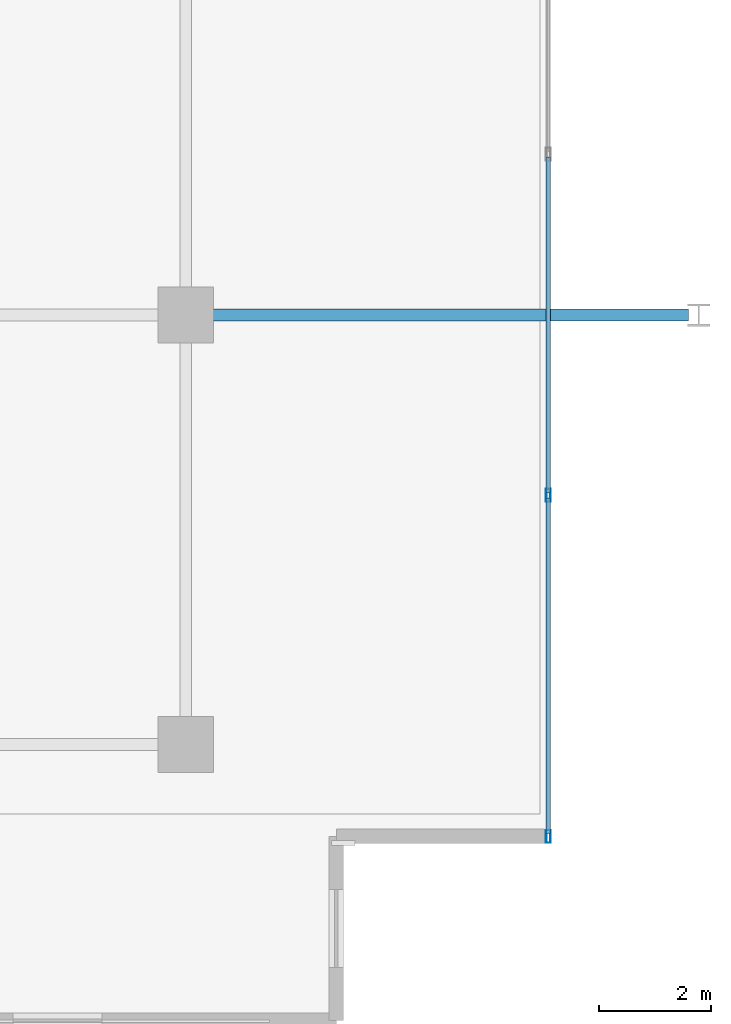
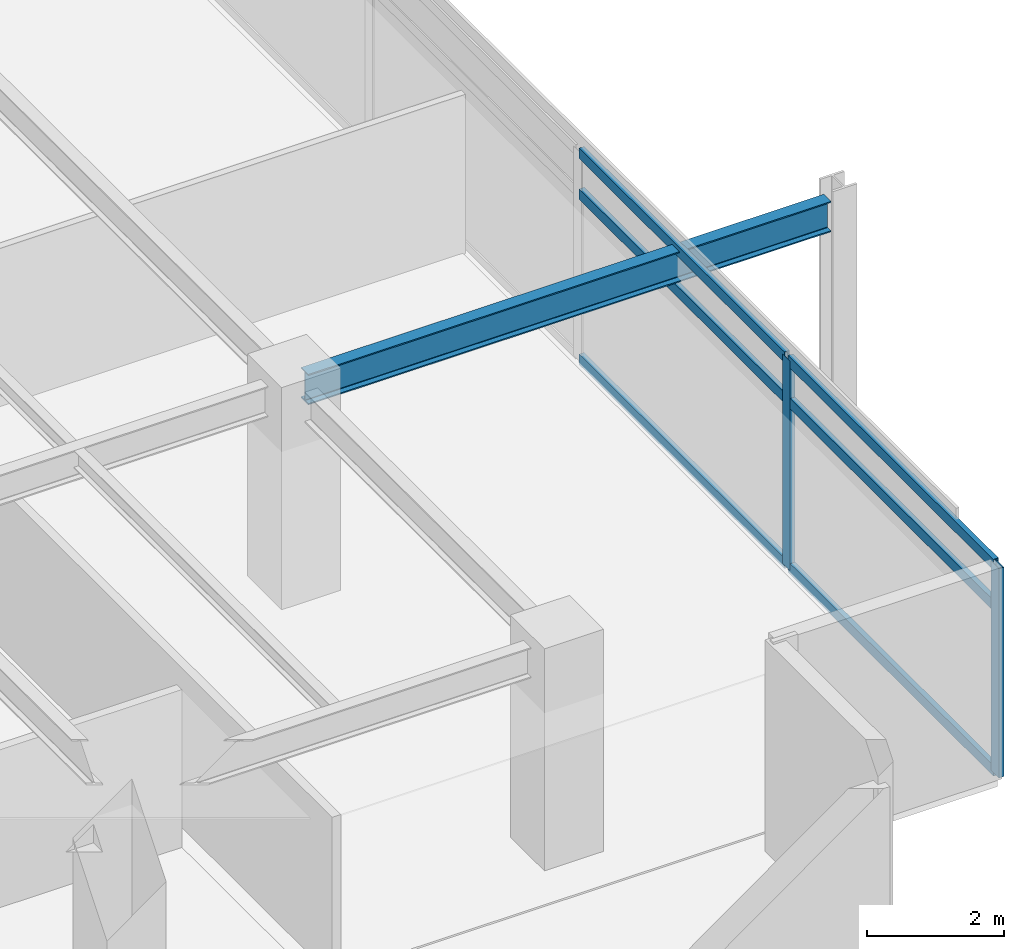
# One storey, part 6 of 20: 8 members, 1 beam, 1 element without a shape of its own.
"""IFC4 building model written with IfcOpenShell, lengths in metres."""

import ifcopenshell
import ifcopenshell.guid

model = None  # the IFC model being written
_history = None  # IfcOwnerHistory: only IFC2X3 demands one
_inside = {}  # id of a spatial element -> (the spatial element, [elements in it])
_under = {}  # id of a project, library or spatial element -> (it, [spatial elements below it])
_declared = {}  # id of a project -> (the project, [libraries it declares])
_typed = {}  # id of a type object -> (the type object, [elements of that type])
_made_of = {}  # id of a material, layer set ... -> (it, [elements and type objects made of it])


def new_model(schema):
    """Start an empty IFC model of exactly this schema.

    Asked for "IFC4X3", IfcOpenShell would pick the latest addendum, in which some entities
    have other attributes; the version numbers below select the first issue.
    IFC2X3 requires an IfcOwnerHistory on every rooted entity: one is made here for all.
    """
    global model, _history
    if schema == "IFC4X3":
        model = ifcopenshell.file(schema_version=(4, 3, 0, 0))
    else:
        model = ifcopenshell.file(schema=schema)
    _inside.clear()
    _under.clear()
    _declared.clear()
    _typed.clear()
    _made_of.clear()
    _history = None
    if model.schema == "IFC2X3":
        org = make("IfcOrganization", Name="unknown")
        user = make(
            "IfcPersonAndOrganization",
            ThePerson=make("IfcPerson", FamilyName="unknown"),
            TheOrganization=org,
        )
        app = make(
            "IfcApplication",
            ApplicationDeveloper=org,
            Version="unknown",
            ApplicationFullName="unknown",
            ApplicationIdentifier="unknown",
        )
        _history = make(
            "IfcOwnerHistory",
            OwningUser=user,
            OwningApplication=app,
            ChangeAction="ADDED",
            CreationDate=0,
        )
    return model


def make(cls, **values):
    """One entity of the class cls with the attributes given. An attribute that is None is left unset."""
    return model.create_entity(
        cls, **{name: value for name, value in values.items() if value is not None}
    )


def rooted(cls, **values):
    """An entity with a GlobalId (a new one), such as an element, a storey or a relation."""
    return make(cls, GlobalId=ifcopenshell.guid.new(), OwnerHistory=_history, **values)


def si_unit(unit_type, name, prefix=None):
    """IfcSIUnit, for example si_unit("LENGTHUNIT", "METRE", prefix="MILLI")."""
    return make("IfcSIUnit", UnitType=unit_type, Prefix=prefix, Name=name)


def assignment(units):
    """IfcUnitAssignment: the units of a project."""
    return None if units is None else make("IfcUnitAssignment", Units=units)


def point(xyz):
    """IfcCartesianPoint."""
    return None if xyz is None else make("IfcCartesianPoint", Coordinates=xyz)


def direction(xyz):
    """IfcDirection."""
    return None if xyz is None else make("IfcDirection", DirectionRatios=xyz)


def frame(location, z_axis=None, x_axis=None):
    """IfcAxis2Placement3D, a coordinate frame: its origin and axes. An axis left out is left unset."""
    return make(
        "IfcAxis2Placement3D",
        Location=point(location),
        Axis=direction(z_axis),
        RefDirection=direction(x_axis),
    )


def frame_2d(location, x_axis=None):
    """IfcAxis2Placement2D, a coordinate frame in the plane: its origin and x axis."""
    return make(
        "IfcAxis2Placement2D", Location=point(location), RefDirection=direction(x_axis)
    )


def origin():
    """The frame at (0, 0, 0) with its axes left unset."""
    return frame((0.0, 0.0, 0.0))


def origin_2d():
    """The frame at (0, 0) in the plane with its x axis left unset."""
    return frame_2d((0.0, 0.0))


def place(relative_to, where):
    """IfcLocalPlacement: puts the frame where relative to a parent placement (None: the world)."""
    return make(
        "IfcLocalPlacement", PlacementRelTo=relative_to, RelativePlacement=where
    )


def context(
    kind, dimensions, precision=None, world=None, true_north=None, identifier=None
):
    """IfcGeometricRepresentationContext, for example the 3D "Model" context."""
    return make(
        "IfcGeometricRepresentationContext",
        ContextIdentifier=identifier,
        ContextType=kind,
        CoordinateSpaceDimension=dimensions,
        Precision=precision,
        WorldCoordinateSystem=world,
        TrueNorth=true_north,
    )


def subcontext(parent, identifier, kind, view, scale=None):
    """IfcGeometricRepresentationSubContext, for example "Body" below "Model"."""
    return make(
        "IfcGeometricRepresentationSubContext",
        ContextIdentifier=identifier,
        ContextType=kind,
        ParentContext=parent,
        TargetScale=scale,
        TargetView=view,
    )


def project(units=None, contexts=None):
    """IfcProject with its units and contexts."""
    return rooted(
        "IfcProject",
        Name="project",
        RepresentationContexts=contexts,
        UnitsInContext=assignment(units),
    )


def spatial(cls, under=None, at=None, **own):
    """A site, building, storey or space (cls), placed at a placement, below another one or the project."""
    s = rooted(cls, ObjectPlacement=at, **own)
    if under is not None:
        _under.setdefault(under.id(), (under, []))[1].append(s)
    return s


def profile(cls, at=None, kind="AREA", **sizes):
    """A parametric profile (cls). Its sizes go by their IFC names, for example OverallWidth=200.0."""
    return make(cls, ProfileType=kind, Position=at, **sizes)


def hollow_rectangle(**sizes):
    """IfcRectangleHollowProfileDef."""
    return profile("IfcRectangleHollowProfileDef", **sizes)


def i_section(**sizes):
    """IfcIShapeProfileDef."""
    return profile("IfcIShapeProfileDef", **sizes)


def extrude(swept, where, along, depth):
    """IfcExtrudedAreaSolid: the profile swept, set in the frame where, extruded along a direction by depth."""
    return make(
        "IfcExtrudedAreaSolid",
        SweptArea=swept,
        Position=where,
        ExtrudedDirection=direction(along),
        Depth=depth,
    )


def shape(context_of_items, identifier, shape_type, items):
    """IfcShapeRepresentation: the items that make up one representation, for example the "Body"."""
    return make(
        "IfcShapeRepresentation",
        ContextOfItems=context_of_items,
        RepresentationIdentifier=identifier,
        RepresentationType=shape_type,
        Items=items,
    )


def material(Name=None, Category=None):
    """IfcMaterial."""
    return make("IfcMaterial", Name=Name, Category=Category)


def material_profile(
    of_material, cross_section, Name=None, Category=None, Priority=None
):
    """IfcMaterialProfile: a cross section and its material."""
    return make(
        "IfcMaterialProfile",
        Name=Name,
        Material=of_material,
        Profile=cross_section,
        Priority=Priority,
        Category=Category,
    )


def profile_set(profiles, Name=None, composite=None):
    """IfcMaterialProfileSet."""
    return make(
        "IfcMaterialProfileSet",
        Name=Name,
        MaterialProfiles=profiles,
        CompositeProfile=composite,
    )


def made_of(thing, what):
    """Note that an element or type object is made of a material, layer set ...; save() writes the relation."""
    if what is not None:
        _made_of.setdefault(what.id(), (what, []))[1].append(thing)
    return thing


def type_object(cls, material=None, **own):
    """A type object (cls), such as IfcWallType, which elements share."""
    return made_of(rooted(cls, **own), material)


def element(
    cls,
    number,
    at=None,
    inside=None,
    cuts=None,
    type_object=None,
    material=None,
    context=None,
    identifier="Body",
    shape_type=None,
    held_by="IfcProductDefinitionShape",
    body=None,
    shapes=None,
    **own,
):
    """One element of the class cls, such as IfcWall. Its Tag is "e" and its number.

    at: its placement. inside: the storey or other place that contains it. cuts: it is an
    opening in that element (IfcRelVoidsElement). A single representation is given by context,
    identifier, shape_type and body (its items); several are given by shapes. held_by: the class
    of the entity that holds the representations. save() writes the other relations.
    """
    e = rooted(cls, Tag="e%d" % number, ObjectPlacement=at, **own)
    if body is not None:
        shapes = [shape(context, identifier, shape_type, body)]
    if shapes is not None:
        e.Representation = make(held_by, Representations=shapes)
    if inside is not None:
        _inside.setdefault(inside.id(), (inside, []))[1].append(e)
    if cuts is not None:
        rooted(
            "IfcRelVoidsElement", RelatingBuildingElement=cuts, RelatedOpeningElement=e
        )
    if type_object is not None:
        _typed.setdefault(type_object.id(), (type_object, []))[1].append(e)
    return made_of(e, material)


def aggregate(whole, parts):
    """IfcRelAggregates: a whole, such as a stair, and the parts it consists of."""
    return rooted("IfcRelAggregates", RelatingObject=whole, RelatedObjects=parts)


def save(model, path):
    """Write the relations noted so far, then the file.

    IfcRelAggregates (storeys below a building ...), IfcRelContainedInSpatialStructure (elements
    in a storey), IfcRelDefinesByType, IfcRelAssociatesMaterial and IfcRelDeclares: one each for
    every whole, place, type object, material and project.
    """
    for whole, parts in _under.values():
        aggregate(whole, parts)
    for where, things in _inside.values():
        rooted(
            "IfcRelContainedInSpatialStructure",
            RelatedElements=things,
            RelatingStructure=where,
        )
    for kind, things in _typed.values():
        rooted("IfcRelDefinesByType", RelatedObjects=things, RelatingType=kind)
    for what, things in _made_of.values():
        rooted("IfcRelAssociatesMaterial", RelatedObjects=things, RelatingMaterial=what)
    for by, libraries in _declared.values():
        rooted("IfcRelDeclares", RelatingContext=by, RelatedDefinitions=libraries)
    model.write(path)


model = new_model("IFC4")

# Units and contexts
model_context = context("Model", 3, precision=1e-05, world=origin(), true_north=direction((0.0, 1.0)))
body_context = subcontext(model_context, "Body", "Model", "MODEL_VIEW")
ifc_project = project(units=[si_unit("LENGTHUNIT", "METRE"), si_unit("AREAUNIT", "SQUARE_METRE"), si_unit("VOLUMEUNIT", "CUBIC_METRE"), si_unit("PLANEANGLEUNIT", "RADIAN"), si_unit("MASSUNIT", "GRAM", prefix="KILO")], contexts=[model_context])

# Site, building, storey
site_placement = place(None, origin())
site = spatial("IfcSite", under=ifc_project, at=site_placement, CompositionType="ELEMENT")
building_placement = place(site_placement, origin())
building = spatial("IfcBuilding", under=site, at=building_placement, Name="Kovane Verandah Tower", CompositionType="ELEMENT")
storey_placement = place(building_placement, frame((0.0, 0.0, 322.800048828125)))
storey = spatial("IfcBuildingStorey", under=building, at=storey_placement, Name="L75", CompositionType="ELEMENT", Elevation=322.800048828125)

# Beam
ifc_material_1 = material(Name="Steel S355", Category="steel")
ifc_material_profile_1 = material_profile(ifc_material_1, i_section(OverallWidth=0.2119140625, OverallDepth=0.54443359375, WebThickness=0.0126953125, FlangeThickness=0.021240234375, FilletRadius=0.0126953125, at=origin_2d()), Name="UB533x210x122")
ifc_profile_set_1 = profile_set([ifc_material_profile_1], Name="Steel S355")
beam_type = type_object("IfcBeamType", Name="BM-UB533x122", PredefinedType="BEAM", material=ifc_profile_set_1)
beam_placement = place(storey_placement, frame((58.580078125, 18.5, 3.48779296875), z_axis=(1.0, 0.0, 0.0), x_axis=(0.0, 1.0, 0.0)))
element("IfcBeam", 1, at=beam_placement, inside=storey, type_object=beam_type, Name="L75 Primary Tower Girder G-VE1", PredefinedType="BEAM", context=body_context, shape_type="SweptSolid", body=[
    extrude(i_section(OverallWidth=0.2119140625, OverallDepth=0.54443359375, WebThickness=0.0126953125, FlangeThickness=0.021240234375, FilletRadius=0.0126953125, at=origin_2d()), origin(), (0.0, 0.0, 1.0), 8.83984375),
])

# Curtain wall, members
ifc_material_2 = material(Name="Champagne Anodised Aluminium Frame with Low-E Clear Laminated Glass", Category="aluminium")
curtain_wall_type = type_object("IfcCurtainWallType", Name="CW-SYS-05-HIGH", PredefinedType="NOTDEFINED", material=ifc_material_2)
curtain_wall_placement = place(storey_placement, origin())
curtain_wall = element("IfcCurtainWall", 2, at=curtain_wall_placement, inside=storey, type_object=curtain_wall_type, Name="L75 E Unitised Curtain Wall", PredefinedType="NOTDEFINED")
ifc_material_3 = material(Name="Champagne Anodised Aluminium 6063-T6", Category="aluminium")
ifc_material_profile_2 = material_profile(ifc_material_3, hollow_rectangle(XDim=0.0849609375, YDim=0.22998046875, WallThickness=0.00390625, at=origin_2d()), Name="AL85x230x4")
ifc_profile_set_2 = profile_set([ifc_material_profile_2], Name="Champagne Anodised Aluminium 6063-T6")
member_type_1 = type_object("IfcMemberType", Name="CW-MUL-85x230", PredefinedType="MULLION", material=ifc_profile_set_2)
member_1_placement = place(storey_placement, frame((64.89990234375, 9.14990234375, 0.02001953125), z_axis=(0.0, 0.0, 1.0), x_axis=(1.0, 0.0, 0.0)))
member_1 = element("IfcMember", 3, at=member_1_placement, type_object=member_type_1, Name="L75 E Unitised Curtain Wall Mullion 1", PredefinedType="MULLION", context=body_context, shape_type="SweptSolid", body=[
    extrude(hollow_rectangle(XDim=0.0849609375, YDim=0.22998046875, WallThickness=0.00390625, at=origin_2d()), origin(), (0.0, 0.0, 1.0), 3.744873046875),
])
member_2_placement = place(storey_placement, frame((64.89990234375, 15.2666015625, 0.02001953125), z_axis=(0.0, 0.0, 1.0), x_axis=(1.0, 0.0, 0.0)))
member_2 = element("IfcMember", 4, at=member_2_placement, type_object=member_type_1, Name="L75 E Unitised Curtain Wall Mullion 2", PredefinedType="MULLION", context=body_context, shape_type="SweptSolid", body=[
    extrude(hollow_rectangle(XDim=0.0849609375, YDim=0.22998046875, WallThickness=0.00390625, at=origin_2d()), origin(), (0.0, 0.0, 1.0), 3.744873046875),
])
ifc_material_profile_3 = material_profile(ifc_material_3, hollow_rectangle(XDim=0.0849609375, YDim=0.18994140625, WallThickness=0.00390625, at=origin_2d()), Name="AL85x190x4")
ifc_profile_set_3 = profile_set([ifc_material_profile_3], Name="Champagne Anodised Aluminium 6063-T6")
member_type_2 = type_object("IfcMemberType", Name="CW-TRN-85x190", PredefinedType="USERDEFINED", material=ifc_profile_set_3)
member_3_placement = place(storey_placement, frame((64.89990234375, 9.199951171875, 0.050048828125), z_axis=(0.0, 1.0, 0.0), x_axis=(-1.0, 0.0, 0.0)))
member_3 = element("IfcMember", 5, at=member_3_placement, type_object=member_type_2, Name="L75 E Unitised Curtain Wall Transom TB Bay 1", ObjectType="TRANSOM", PredefinedType="USERDEFINED", context=body_context, shape_type="SweptSolid", body=[
    extrude(hollow_rectangle(XDim=0.0849609375, YDim=0.18994140625, WallThickness=0.00390625, at=origin_2d()), origin(), (0.0, 0.0, 1.0), 6.016845703125),
])
member_4_placement = place(storey_placement, frame((64.89990234375, 9.199951171875, 3.0048828125), z_axis=(0.0, 1.0, 0.0), x_axis=(-1.0, 0.0, 0.0)))
member_4 = element("IfcMember", 6, at=member_4_placement, type_object=member_type_2, Name="L75 E Unitised Curtain Wall Transom TM Bay 1", ObjectType="TRANSOM", PredefinedType="USERDEFINED", context=body_context, shape_type="SweptSolid", body=[
    extrude(hollow_rectangle(XDim=0.0849609375, YDim=0.18994140625, WallThickness=0.00390625, at=origin_2d()), origin(), (0.0, 0.0, 1.0), 6.016845703125),
])
member_5_placement = place(storey_placement, frame((64.89990234375, 9.199951171875, 3.73486328125), z_axis=(0.0, 1.0, 0.0), x_axis=(-1.0, 0.0, 0.0)))
member_5 = element("IfcMember", 7, at=member_5_placement, type_object=member_type_2, Name="L75 E Unitised Curtain Wall Transom TT Bay 1", ObjectType="TRANSOM", PredefinedType="USERDEFINED", context=body_context, shape_type="SweptSolid", body=[
    extrude(hollow_rectangle(XDim=0.0849609375, YDim=0.18994140625, WallThickness=0.00390625, at=origin_2d()), origin(), (0.0, 0.0, 1.0), 6.016845703125),
])
member_6_placement = place(storey_placement, frame((64.89990234375, 15.316650390625, 0.050048828125), z_axis=(0.0, 1.0, 0.0), x_axis=(-1.0, 0.0, 0.0)))
member_6 = element("IfcMember", 8, at=member_6_placement, type_object=member_type_2, Name="L75 E Unitised Curtain Wall Transom TB Bay 2", ObjectType="TRANSOM", PredefinedType="USERDEFINED", context=body_context, shape_type="SweptSolid", body=[
    extrude(hollow_rectangle(XDim=0.0849609375, YDim=0.18994140625, WallThickness=0.00390625, at=origin_2d()), origin(), (0.0, 0.0, 1.0), 6.0166015625),
])
member_7_placement = place(storey_placement, frame((64.89990234375, 15.316650390625, 3.0048828125), z_axis=(0.0, 1.0, 0.0), x_axis=(-1.0, 0.0, 0.0)))
member_7 = element("IfcMember", 9, at=member_7_placement, type_object=member_type_2, Name="L75 E Unitised Curtain Wall Transom TM Bay 2", ObjectType="TRANSOM", PredefinedType="USERDEFINED", context=body_context, shape_type="SweptSolid", body=[
    extrude(hollow_rectangle(XDim=0.0849609375, YDim=0.18994140625, WallThickness=0.00390625, at=origin_2d()), origin(), (0.0, 0.0, 1.0), 6.0166015625),
])
member_8_placement = place(storey_placement, frame((64.89990234375, 15.316650390625, 3.73486328125), z_axis=(0.0, 1.0, 0.0), x_axis=(-1.0, 0.0, 0.0)))
member_8 = element("IfcMember", 10, at=member_8_placement, type_object=member_type_2, Name="L75 E Unitised Curtain Wall Transom TT Bay 2", ObjectType="TRANSOM", PredefinedType="USERDEFINED", context=body_context, shape_type="SweptSolid", body=[
    extrude(hollow_rectangle(XDim=0.0849609375, YDim=0.18994140625, WallThickness=0.00390625, at=origin_2d()), origin(), (0.0, 0.0, 1.0), 6.0166015625),
])
aggregate(curtain_wall, [member_1, member_2, member_3, member_4, member_5, member_6, member_7, member_8])

save(model, "model.ifc")
